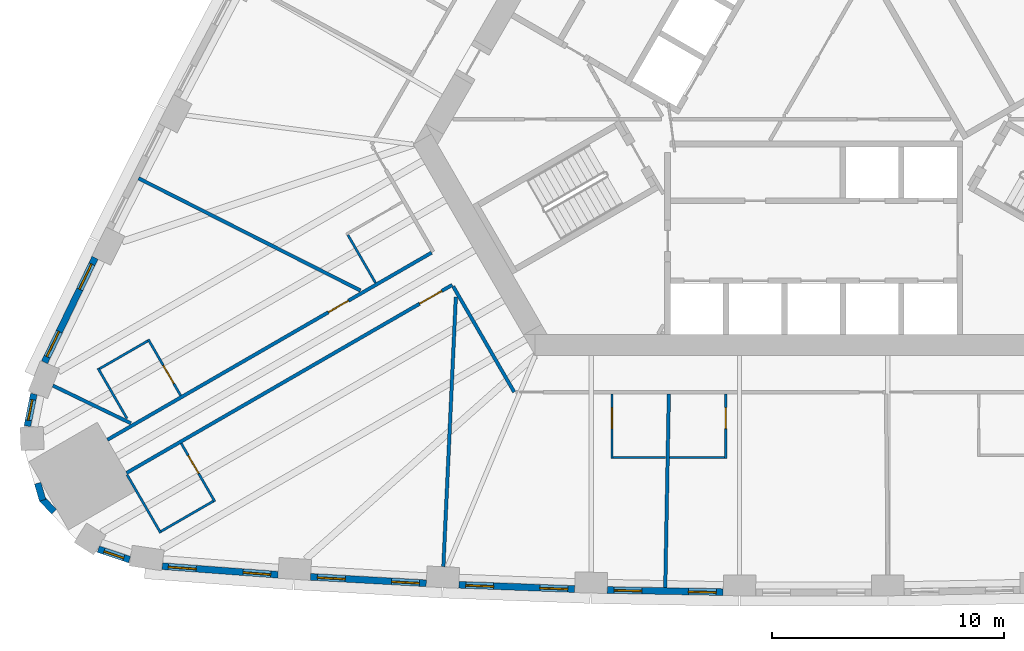
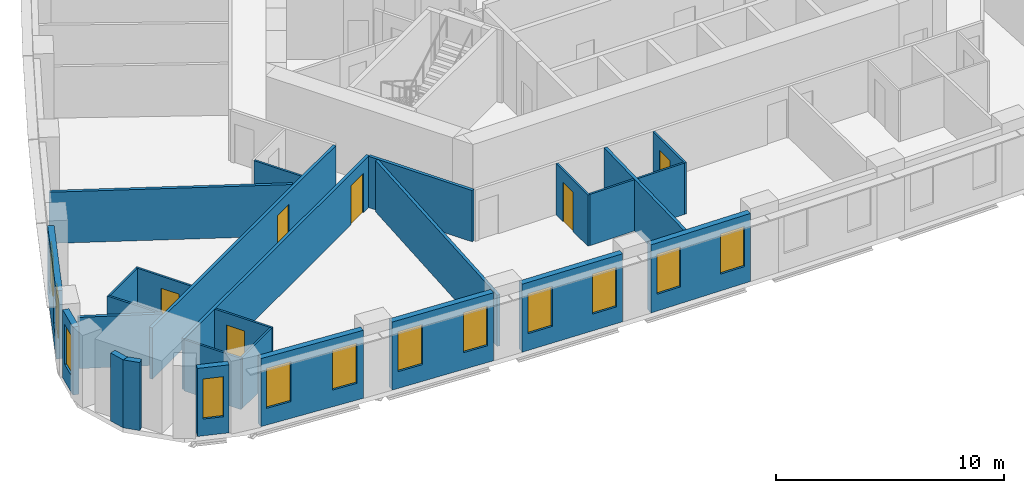
# One storey, part 3 of 13: 27 walls, 12 windows, 6 doors, 18 openings.
"""IFC4 building model written with IfcOpenShell, lengths in metres."""

import ifcopenshell
import ifcopenshell.guid

model = None  # the IFC model being written
_history = None  # IfcOwnerHistory: only IFC2X3 demands one
_inside = {}  # id of a spatial element -> (the spatial element, [elements in it])
_under = {}  # id of a project, library or spatial element -> (it, [spatial elements below it])
_declared = {}  # id of a project -> (the project, [libraries it declares])
_typed = {}  # id of a type object -> (the type object, [elements of that type])
_made_of = {}  # id of a material, layer set ... -> (it, [elements and type objects made of it])


def new_model(schema):
    """Start an empty IFC model of exactly this schema.

    Asked for "IFC4X3", IfcOpenShell would pick the latest addendum, in which some entities
    have other attributes; the version numbers below select the first issue.
    IFC2X3 requires an IfcOwnerHistory on every rooted entity: one is made here for all.
    """
    global model, _history
    if schema == "IFC4X3":
        model = ifcopenshell.file(schema_version=(4, 3, 0, 0))
    else:
        model = ifcopenshell.file(schema=schema)
    _inside.clear()
    _under.clear()
    _declared.clear()
    _typed.clear()
    _made_of.clear()
    _history = None
    if model.schema == "IFC2X3":
        org = make("IfcOrganization", Name="unknown")
        user = make(
            "IfcPersonAndOrganization",
            ThePerson=make("IfcPerson", FamilyName="unknown"),
            TheOrganization=org,
        )
        app = make(
            "IfcApplication",
            ApplicationDeveloper=org,
            Version="unknown",
            ApplicationFullName="unknown",
            ApplicationIdentifier="unknown",
        )
        _history = make(
            "IfcOwnerHistory",
            OwningUser=user,
            OwningApplication=app,
            ChangeAction="ADDED",
            CreationDate=0,
        )
    return model


def make(cls, **values):
    """One entity of the class cls with the attributes given. An attribute that is None is left unset."""
    return model.create_entity(
        cls, **{name: value for name, value in values.items() if value is not None}
    )


def rooted(cls, **values):
    """An entity with a GlobalId (a new one), such as an element, a storey or a relation."""
    return make(cls, GlobalId=ifcopenshell.guid.new(), OwnerHistory=_history, **values)


def si_unit(unit_type, name, prefix=None):
    """IfcSIUnit, for example si_unit("LENGTHUNIT", "METRE", prefix="MILLI")."""
    return make("IfcSIUnit", UnitType=unit_type, Prefix=prefix, Name=name)


def assignment(units):
    """IfcUnitAssignment: the units of a project."""
    return None if units is None else make("IfcUnitAssignment", Units=units)


def point(xyz):
    """IfcCartesianPoint."""
    return None if xyz is None else make("IfcCartesianPoint", Coordinates=xyz)


def direction(xyz):
    """IfcDirection."""
    return None if xyz is None else make("IfcDirection", DirectionRatios=xyz)


def frame(location, z_axis=None, x_axis=None):
    """IfcAxis2Placement3D, a coordinate frame: its origin and axes. An axis left out is left unset."""
    return make(
        "IfcAxis2Placement3D",
        Location=point(location),
        Axis=direction(z_axis),
        RefDirection=direction(x_axis),
    )


def frame_2d(location, x_axis=None):
    """IfcAxis2Placement2D, a coordinate frame in the plane: its origin and x axis."""
    return make(
        "IfcAxis2Placement2D", Location=point(location), RefDirection=direction(x_axis)
    )


def origin():
    """The frame at (0, 0, 0) with its axes left unset."""
    return frame((0.0, 0.0, 0.0))


def place(relative_to, where):
    """IfcLocalPlacement: puts the frame where relative to a parent placement (None: the world)."""
    return make(
        "IfcLocalPlacement", PlacementRelTo=relative_to, RelativePlacement=where
    )


def context(
    kind, dimensions, precision=None, world=None, true_north=None, identifier=None
):
    """IfcGeometricRepresentationContext, for example the 3D "Model" context."""
    return make(
        "IfcGeometricRepresentationContext",
        ContextIdentifier=identifier,
        ContextType=kind,
        CoordinateSpaceDimension=dimensions,
        Precision=precision,
        WorldCoordinateSystem=world,
        TrueNorth=true_north,
    )


def subcontext(parent, identifier, kind, view, scale=None):
    """IfcGeometricRepresentationSubContext, for example "Body" below "Model"."""
    return make(
        "IfcGeometricRepresentationSubContext",
        ContextIdentifier=identifier,
        ContextType=kind,
        ParentContext=parent,
        TargetScale=scale,
        TargetView=view,
    )


def project(units=None, contexts=None):
    """IfcProject with its units and contexts."""
    return rooted(
        "IfcProject",
        Name="project",
        RepresentationContexts=contexts,
        UnitsInContext=assignment(units),
    )


def spatial(cls, under=None, at=None, **own):
    """A site, building, storey or space (cls), placed at a placement, below another one or the project."""
    s = rooted(cls, ObjectPlacement=at, **own)
    if under is not None:
        _under.setdefault(under.id(), (under, []))[1].append(s)
    return s


def profile(cls, at=None, kind="AREA", **sizes):
    """A parametric profile (cls). Its sizes go by their IFC names, for example OverallWidth=200.0."""
    return make(cls, ProfileType=kind, Position=at, **sizes)


def rectangle(**sizes):
    """IfcRectangleProfileDef."""
    return profile("IfcRectangleProfileDef", **sizes)


def extrude(swept, where, along, depth):
    """IfcExtrudedAreaSolid: the profile swept, set in the frame where, extruded along a direction by depth."""
    return make(
        "IfcExtrudedAreaSolid",
        SweptArea=swept,
        Position=where,
        ExtrudedDirection=direction(along),
        Depth=depth,
    )


def shape(context_of_items, identifier, shape_type, items):
    """IfcShapeRepresentation: the items that make up one representation, for example the "Body"."""
    return make(
        "IfcShapeRepresentation",
        ContextOfItems=context_of_items,
        RepresentationIdentifier=identifier,
        RepresentationType=shape_type,
        Items=items,
    )


def material(Name=None, Category=None):
    """IfcMaterial."""
    return make("IfcMaterial", Name=Name, Category=Category)


def layer(
    of_material, thickness, ventilated=None, Name=None, Category=None, Priority=None
):
    """IfcMaterialLayer: one layer of a wall or slab, of a material (None: an air gap)."""
    return make(
        "IfcMaterialLayer",
        Material=of_material,
        LayerThickness=thickness,
        IsVentilated=ventilated,
        Name=Name,
        Category=Category,
        Priority=Priority,
    )


def layer_set(layers, Name=None):
    """IfcMaterialLayerSet."""
    return make("IfcMaterialLayerSet", MaterialLayers=layers, LayerSetName=Name)


def made_of(thing, what):
    """Note that an element or type object is made of a material, layer set ...; save() writes the relation."""
    if what is not None:
        _made_of.setdefault(what.id(), (what, []))[1].append(thing)
    return thing


def type_object(cls, material=None, **own):
    """A type object (cls), such as IfcWallType, which elements share."""
    return made_of(rooted(cls, **own), material)


def element(
    cls,
    number,
    at=None,
    inside=None,
    cuts=None,
    type_object=None,
    material=None,
    context=None,
    identifier="Body",
    shape_type=None,
    held_by="IfcProductDefinitionShape",
    body=None,
    shapes=None,
    **own,
):
    """One element of the class cls, such as IfcWall. Its Tag is "e" and its number.

    at: its placement. inside: the storey or other place that contains it. cuts: it is an
    opening in that element (IfcRelVoidsElement). A single representation is given by context,
    identifier, shape_type and body (its items); several are given by shapes. held_by: the class
    of the entity that holds the representations. save() writes the other relations.
    """
    e = rooted(cls, Tag="e%d" % number, ObjectPlacement=at, **own)
    if body is not None:
        shapes = [shape(context, identifier, shape_type, body)]
    if shapes is not None:
        e.Representation = make(held_by, Representations=shapes)
    if inside is not None:
        _inside.setdefault(inside.id(), (inside, []))[1].append(e)
    if cuts is not None:
        rooted(
            "IfcRelVoidsElement", RelatingBuildingElement=cuts, RelatedOpeningElement=e
        )
    if type_object is not None:
        _typed.setdefault(type_object.id(), (type_object, []))[1].append(e)
    return made_of(e, material)


def fill(opening, filler):
    """IfcRelFillsElement: the door or window that sits in an opening."""
    return rooted(
        "IfcRelFillsElement",
        RelatingOpeningElement=opening,
        RelatedBuildingElement=filler,
    )


def aggregate(whole, parts):
    """IfcRelAggregates: a whole, such as a stair, and the parts it consists of."""
    return rooted("IfcRelAggregates", RelatingObject=whole, RelatedObjects=parts)


def save(model, path):
    """Write the relations noted so far, then the file.

    IfcRelAggregates (storeys below a building ...), IfcRelContainedInSpatialStructure (elements
    in a storey), IfcRelDefinesByType, IfcRelAssociatesMaterial and IfcRelDeclares: one each for
    every whole, place, type object, material and project.
    """
    for whole, parts in _under.values():
        aggregate(whole, parts)
    for where, things in _inside.values():
        rooted(
            "IfcRelContainedInSpatialStructure",
            RelatedElements=things,
            RelatingStructure=where,
        )
    for kind, things in _typed.values():
        rooted("IfcRelDefinesByType", RelatedObjects=things, RelatingType=kind)
    for what, things in _made_of.values():
        rooted("IfcRelAssociatesMaterial", RelatedObjects=things, RelatingMaterial=what)
    for by, libraries in _declared.values():
        rooted("IfcRelDeclares", RelatingContext=by, RelatedDefinitions=libraries)
    model.write(path)


model = new_model("IFC4")

# Units and contexts
model_context = context("Model", 3, precision=1e-05, world=origin(), true_north=direction((0.0, 1.0)))
body_context = subcontext(model_context, "Body", "Model", "MODEL_VIEW")
ifc_project = project(units=[si_unit("LENGTHUNIT", "METRE"), si_unit("AREAUNIT", "SQUARE_METRE"), si_unit("VOLUMEUNIT", "CUBIC_METRE"), si_unit("PLANEANGLEUNIT", "RADIAN"), si_unit("MASSUNIT", "GRAM", prefix="KILO")], contexts=[model_context])

# Site, building, storey
site_placement = place(None, origin())
site = spatial("IfcSite", under=ifc_project, at=site_placement, CompositionType="ELEMENT")
building_placement = place(site_placement, origin())
building = spatial("IfcBuilding", under=site, at=building_placement, Name="Mestral Congress Tower", CompositionType="ELEMENT")
storey_placement = place(building_placement, frame((0.0, 0.0, 62.699951171875)))
storey = spatial("IfcBuildingStorey", under=building, at=storey_placement, Name="L14", CompositionType="ELEMENT", Elevation=62.699951171875)

# Wall, openings, windows
ifc_material_1 = material(Name="Precast concrete C40/50 with limestone facing", Category="masonry")
ifc_layer_1 = layer(ifc_material_1, 0.2900390625)
ifc_layer_set_1 = layer_set([ifc_layer_1], Name="Precast concrete C40/50 with limestone facing")
wall_type_1 = type_object("IfcWallType", Name="Facade stone wall 290", PredefinedType="SOLIDWALL", material=ifc_layer_set_1)
wall_1_placement = place(storey_placement, frame((-28.097900390625, -22.086181640625, 0.0), z_axis=(0.0, 0.0, 1.0), x_axis=(0.997266290399, -0.073891447643, 0.0)))
wall_1 = element("IfcWall", 1, at=wall_1_placement, inside=storey, type_object=wall_type_1, Name="Facade wall F0-00", PredefinedType="SOLIDWALL", context=body_context, shape_type="SweptSolid", body=[
    extrude(rectangle(XDim=5.005615234375, YDim=0.2900390625, at=frame_2d((2.5029296875, 0.0))), origin(), (0.0, 0.0, 1.0), 3.650146484375),
])
opening_1_placement = place(wall_1_placement, frame((0.26513671875, 0.0, 0.89990234375)))
opening_1 = element("IfcOpeningElement", 2, at=opening_1_placement, cuts=wall_1, Name="Opening W1", PredefinedType="OPENING", context=body_context, shape_type="SweptSolid", body=[
    extrude(rectangle(XDim=1.199951171875, YDim=2.14990234375, at=frame_2d((0.60009765625, 1.074951171875))), frame((0.0, 0.155029296875, 0.0), z_axis=(0.0, -1.0, 0.0), x_axis=(1.0, 0.0, 0.0)), (0.0, 0.0, 1.0), 0.31005859375),
])
opening_2_placement = place(wall_1_placement, frame((3.49560546875, 0.0, 0.89990234375)))
opening_2 = element("IfcOpeningElement", 3, at=opening_2_placement, cuts=wall_1, Name="Opening W1", PredefinedType="OPENING", context=body_context, shape_type="SweptSolid", body=[
    extrude(rectangle(XDim=1.199951171875, YDim=2.14990234375, at=frame_2d((0.60009765625, 1.074951171875))), frame((0.0, 0.155029296875, 0.0), z_axis=(0.0, -1.0, 0.0), x_axis=(1.0, 0.0, 0.0)), (0.0, 0.0, 1.0), 0.31005859375),
])
ifc_material_2 = material(Name="Clear low-emissivity double glazing", Category="glass")
window_type_1 = type_object("IfcWindowType", Name="Facade punched window 1200 x 2150 sill 900", PartitioningType="DOUBLE_PANEL_VERTICAL", PredefinedType="WINDOW", material=ifc_material_2)
window_1_placement = place(opening_1_placement, origin())
window_1 = element("IfcWindow", 4, at=window_1_placement, inside=storey, type_object=window_type_1, Name="Window F0-00a", OverallHeight=2.14990234375, OverallWidth=1.199951171875, PartitioningType="DOUBLE_PANEL_VERTICAL", PredefinedType="WINDOW", context=body_context, shape_type="SweptSolid", body=[
    extrude(rectangle(XDim=1.199951171875, YDim=2.14990234375, at=frame_2d((0.60009765625, 1.074951171875))), frame((0.0, 0.01513671875, 0.0), z_axis=(0.0, -1.0, 0.0), x_axis=(1.0, 0.0, 0.0)), (0.0, 0.0, 1.0), 0.06005859375),
])
fill(opening_1, window_1)
window_2_placement = place(opening_2_placement, origin())
window_2 = element("IfcWindow", 5, at=window_2_placement, inside=storey, type_object=window_type_1, Name="Window F0-00b", OverallHeight=2.14990234375, OverallWidth=1.199951171875, PartitioningType="DOUBLE_PANEL_VERTICAL", PredefinedType="WINDOW", context=body_context, shape_type="SweptSolid", body=[
    extrude(rectangle(XDim=1.199951171875, YDim=2.14990234375, at=frame_2d((0.60009765625, 1.074951171875))), frame((0.0, 0.01513671875, 0.0), z_axis=(0.0, -1.0, 0.0), x_axis=(1.0, 0.0, 0.0)), (0.0, 0.0, 1.0), 0.06005859375),
])
fill(opening_2, window_2)

wall_2_placement = place(storey_placement, frame((-21.701416015625, -22.547119140625, 0.0), z_axis=(0.0, 0.0, 1.0), x_axis=(0.998464708705, -0.055391564976, 0.0)))
wall_2 = element("IfcWall", 6, at=wall_2_placement, inside=storey, type_object=wall_type_1, Name="Facade wall F0-01", PredefinedType="SOLIDWALL", context=body_context, shape_type="SweptSolid", body=[
    extrude(rectangle(XDim=4.998046875, YDim=0.2900390625, at=frame_2d((2.4990234375, 0.0))), origin(), (0.0, 0.0, 1.0), 3.650146484375),
])
opening_3_placement = place(wall_2_placement, frame((0.297119140625, 0.0, 0.89990234375)))
opening_3 = element("IfcOpeningElement", 7, at=opening_3_placement, cuts=wall_2, Name="Opening W1", PredefinedType="OPENING", context=body_context, shape_type="SweptSolid", body=[
    extrude(rectangle(XDim=1.199951171875, YDim=2.14990234375, at=frame_2d((0.60009765625, 1.074951171875))), frame((0.0, 0.155029296875, 0.0), z_axis=(0.0, -1.0, 0.0), x_axis=(1.0, 0.0, 0.0)), (0.0, 0.0, 1.0), 0.31005859375),
])
opening_4_placement = place(wall_2_placement, frame((3.501220703125, 0.0, 0.89990234375)))
opening_4 = element("IfcOpeningElement", 8, at=opening_4_placement, cuts=wall_2, Name="Opening W1", PredefinedType="OPENING", context=body_context, shape_type="SweptSolid", body=[
    extrude(rectangle(XDim=1.199951171875, YDim=2.14990234375, at=frame_2d((0.60009765625, 1.074951171875))), frame((0.0, 0.155029296875, 0.0), z_axis=(0.0, -1.0, 0.0), x_axis=(1.0, 0.0, 0.0)), (0.0, 0.0, 1.0), 0.31005859375),
])
window_3_placement = place(opening_3_placement, origin())
window_3 = element("IfcWindow", 9, at=window_3_placement, inside=storey, type_object=window_type_1, Name="Window F0-01a", OverallHeight=2.14990234375, OverallWidth=1.199951171875, PartitioningType="DOUBLE_PANEL_VERTICAL", PredefinedType="WINDOW", context=body_context, shape_type="SweptSolid", body=[
    extrude(rectangle(XDim=1.199951171875, YDim=2.14990234375, at=frame_2d((0.60009765625, 1.074951171875))), frame((0.0, 0.01513671875, 0.0), z_axis=(0.0, -1.0, 0.0), x_axis=(1.0, 0.0, 0.0)), (0.0, 0.0, 1.0), 0.06005859375),
])
fill(opening_3, window_3)
window_4_placement = place(opening_4_placement, origin())
window_4 = element("IfcWindow", 10, at=window_4_placement, inside=storey, type_object=window_type_1, Name="Window F0-01b", OverallHeight=2.14990234375, OverallWidth=1.199951171875, PartitioningType="DOUBLE_PANEL_VERTICAL", PredefinedType="WINDOW", context=body_context, shape_type="SweptSolid", body=[
    extrude(rectangle(XDim=1.199951171875, YDim=2.14990234375, at=frame_2d((0.60009765625, 1.074951171875))), frame((0.0, 0.01513671875, 0.0), z_axis=(0.0, -1.0, 0.0), x_axis=(1.0, 0.0, 0.0)), (0.0, 0.0, 1.0), 0.06005859375),
])
fill(opening_4, window_4)

wall_3_placement = place(storey_placement, frame((-15.30517578125, -22.88916015625, 0.0), z_axis=(0.0, 0.0, 1.0), x_axis=(0.999317974969, -0.036926750529, 0.0)))
wall_3 = element("IfcWall", 11, at=wall_3_placement, inside=storey, type_object=wall_type_1, Name="Facade wall F0-02", PredefinedType="SOLIDWALL", context=body_context, shape_type="SweptSolid", body=[
    extrude(rectangle(XDim=4.998291015625, YDim=0.2900390625, at=frame_2d((2.4990234375, 0.0))), origin(), (0.0, 0.0, 1.0), 3.650146484375),
])
opening_5_placement = place(wall_3_placement, frame((0.297119140625, 0.0, 0.89990234375)))
opening_5 = element("IfcOpeningElement", 12, at=opening_5_placement, cuts=wall_3, Name="Opening W1", PredefinedType="OPENING", context=body_context, shape_type="SweptSolid", body=[
    extrude(rectangle(XDim=1.199951171875, YDim=2.14990234375, at=frame_2d((0.60009765625, 1.074951171875))), frame((0.0, 0.155029296875, 0.0), z_axis=(0.0, -1.0, 0.0), x_axis=(1.0, 0.0, 0.0)), (0.0, 0.0, 1.0), 0.31005859375),
])
opening_6_placement = place(wall_3_placement, frame((3.501220703125, 0.0, 0.89990234375)))
opening_6 = element("IfcOpeningElement", 13, at=opening_6_placement, cuts=wall_3, Name="Opening W1", PredefinedType="OPENING", context=body_context, shape_type="SweptSolid", body=[
    extrude(rectangle(XDim=1.199951171875, YDim=2.14990234375, at=frame_2d((0.60009765625, 1.074951171875))), frame((0.0, 0.155029296875, 0.0), z_axis=(0.0, -1.0, 0.0), x_axis=(1.0, 0.0, 0.0)), (0.0, 0.0, 1.0), 0.31005859375),
])
window_5_placement = place(opening_5_placement, origin())
window_5 = element("IfcWindow", 14, at=window_5_placement, inside=storey, type_object=window_type_1, Name="Window F0-02a", OverallHeight=2.14990234375, OverallWidth=1.199951171875, PartitioningType="DOUBLE_PANEL_VERTICAL", PredefinedType="WINDOW", context=body_context, shape_type="SweptSolid", body=[
    extrude(rectangle(XDim=1.199951171875, YDim=2.14990234375, at=frame_2d((0.60009765625, 1.074951171875))), frame((0.0, 0.01513671875, 0.0), z_axis=(0.0, -1.0, 0.0), x_axis=(1.0, 0.0, 0.0)), (0.0, 0.0, 1.0), 0.06005859375),
])
fill(opening_5, window_5)
window_6_placement = place(opening_6_placement, origin())
window_6 = element("IfcWindow", 15, at=window_6_placement, inside=storey, type_object=window_type_1, Name="Window F0-02b", OverallHeight=2.14990234375, OverallWidth=1.199951171875, PartitioningType="DOUBLE_PANEL_VERTICAL", PredefinedType="WINDOW", context=body_context, shape_type="SweptSolid", body=[
    extrude(rectangle(XDim=1.199951171875, YDim=2.14990234375, at=frame_2d((0.60009765625, 1.074951171875))), frame((0.0, 0.01513671875, 0.0), z_axis=(0.0, -1.0, 0.0), x_axis=(1.0, 0.0, 0.0)), (0.0, 0.0, 1.0), 0.06005859375),
])
fill(opening_6, window_6)

wall_4_placement = place(storey_placement, frame((-8.903564453125, -23.11279296875, 0.0), z_axis=(0.0, 0.0, 1.0), x_axis=(0.999829529479, -0.018463801951, 0.0)))
wall_4 = element("IfcWall", 16, at=wall_4_placement, inside=storey, type_object=wall_type_1, Name="Facade wall F0-03", PredefinedType="SOLIDWALL", context=body_context, shape_type="SweptSolid", body=[
    extrude(rectangle(XDim=4.998046875, YDim=0.2900390625, at=frame_2d((2.4990234375, 0.0))), origin(), (0.0, 0.0, 1.0), 3.650146484375),
])
opening_7_placement = place(wall_4_placement, frame((0.297119140625, 0.0, 0.89990234375)))
opening_7 = element("IfcOpeningElement", 17, at=opening_7_placement, cuts=wall_4, Name="Opening W1", PredefinedType="OPENING", context=body_context, shape_type="SweptSolid", body=[
    extrude(rectangle(XDim=1.199951171875, YDim=2.14990234375, at=frame_2d((0.60009765625, 1.074951171875))), frame((0.0, 0.155029296875, 0.0), z_axis=(0.0, -1.0, 0.0), x_axis=(1.0, 0.0, 0.0)), (0.0, 0.0, 1.0), 0.31005859375),
])
opening_8_placement = place(wall_4_placement, frame((3.501220703125, 0.0, 0.89990234375)))
opening_8 = element("IfcOpeningElement", 18, at=opening_8_placement, cuts=wall_4, Name="Opening W1", PredefinedType="OPENING", context=body_context, shape_type="SweptSolid", body=[
    extrude(rectangle(XDim=1.199951171875, YDim=2.14990234375, at=frame_2d((0.60009765625, 1.074951171875))), frame((0.0, 0.155029296875, 0.0), z_axis=(0.0, -1.0, 0.0), x_axis=(1.0, 0.0, 0.0)), (0.0, 0.0, 1.0), 0.31005859375),
])
window_7_placement = place(opening_7_placement, origin())
window_7 = element("IfcWindow", 19, at=window_7_placement, inside=storey, type_object=window_type_1, Name="Window F0-03a", OverallHeight=2.14990234375, OverallWidth=1.199951171875, PartitioningType="DOUBLE_PANEL_VERTICAL", PredefinedType="WINDOW", context=body_context, shape_type="SweptSolid", body=[
    extrude(rectangle(XDim=1.199951171875, YDim=2.14990234375, at=frame_2d((0.60009765625, 1.074951171875))), frame((0.0, 0.01513671875, 0.0), z_axis=(0.0, -1.0, 0.0), x_axis=(1.0, 0.0, 0.0)), (0.0, 0.0, 1.0), 0.06005859375),
])
fill(opening_7, window_7)
window_8_placement = place(opening_8_placement, origin())
window_8 = element("IfcWindow", 20, at=window_8_placement, inside=storey, type_object=window_type_1, Name="Window F0-03b", OverallHeight=2.14990234375, OverallWidth=1.199951171875, PartitioningType="DOUBLE_PANEL_VERTICAL", PredefinedType="WINDOW", context=body_context, shape_type="SweptSolid", body=[
    extrude(rectangle(XDim=1.199951171875, YDim=2.14990234375, at=frame_2d((0.60009765625, 1.074951171875))), frame((0.0, 0.01513671875, 0.0), z_axis=(0.0, -1.0, 0.0), x_axis=(1.0, 0.0, 0.0)), (0.0, 0.0, 1.0), 0.06005859375),
])
fill(opening_8, window_8)

wall_5_placement = place(storey_placement, frame((-31.000244140625, -8.7822265625, 0.0), z_axis=(0.0, 0.0, 1.0), x_axis=(-0.434664499056, -0.900592456808, 0.0)))
wall_5 = element("IfcWall", 21, at=wall_5_placement, inside=storey, type_object=wall_type_1, Name="Facade wall F2-08", PredefinedType="SOLIDWALL", context=body_context, shape_type="SweptSolid", body=[
    extrude(rectangle(XDim=5.005615234375, YDim=0.2900390625, at=frame_2d((2.5029296875, 0.0))), origin(), (0.0, 0.0, 1.0), 3.650146484375),
])
opening_9_placement = place(wall_5_placement, frame((0.310302734375, 0.0, 0.89990234375)))
opening_9 = element("IfcOpeningElement", 22, at=opening_9_placement, cuts=wall_5, Name="Opening W1", PredefinedType="OPENING", context=body_context, shape_type="SweptSolid", body=[
    extrude(rectangle(XDim=1.199951171875, YDim=2.14990234375, at=frame_2d((0.60009765625, 1.074951171875))), frame((0.0, 0.155029296875, 0.0), z_axis=(0.0, -1.0, 0.0), x_axis=(1.0, 0.0, 0.0)), (0.0, 0.0, 1.0), 0.31005859375),
])
opening_10_placement = place(wall_5_placement, frame((3.54052734375, 0.0, 0.89990234375)))
opening_10 = element("IfcOpeningElement", 23, at=opening_10_placement, cuts=wall_5, Name="Opening W1", PredefinedType="OPENING", context=body_context, shape_type="SweptSolid", body=[
    extrude(rectangle(XDim=1.199951171875, YDim=2.14990234375, at=frame_2d((0.60009765625, 1.074951171875))), frame((0.0, 0.155029296875, 0.0), z_axis=(0.0, -1.0, 0.0), x_axis=(1.0, 0.0, 0.0)), (0.0, 0.0, 1.0), 0.31005859375),
])
window_9_placement = place(opening_9_placement, origin())
window_9 = element("IfcWindow", 24, at=window_9_placement, inside=storey, type_object=window_type_1, Name="Window F2-08a", OverallHeight=2.14990234375, OverallWidth=1.199951171875, PartitioningType="DOUBLE_PANEL_VERTICAL", PredefinedType="WINDOW", context=body_context, shape_type="SweptSolid", body=[
    extrude(rectangle(XDim=1.199951171875, YDim=2.14990234375, at=frame_2d((0.60009765625, 1.074951171875))), frame((0.0, 0.01513671875, 0.0), z_axis=(0.0, -1.0, 0.0), x_axis=(1.0, 0.0, 0.0)), (0.0, 0.0, 1.0), 0.06005859375),
])
fill(opening_9, window_9)
window_10_placement = place(opening_10_placement, origin())
window_10 = element("IfcWindow", 25, at=window_10_placement, inside=storey, type_object=window_type_1, Name="Window F2-08b", OverallHeight=2.14990234375, OverallWidth=1.199951171875, PartitioningType="DOUBLE_PANEL_VERTICAL", PredefinedType="WINDOW", context=body_context, shape_type="SweptSolid", body=[
    extrude(rectangle(XDim=1.199951171875, YDim=2.14990234375, at=frame_2d((0.60009765625, 1.074951171875))), frame((0.0, 0.01513671875, 0.0), z_axis=(0.0, -1.0, 0.0), x_axis=(1.0, 0.0, 0.0)), (0.0, 0.0, 1.0), 0.06005859375),
])
fill(opening_10, window_10)

# Wall, opening, window
wall_6_placement = place(storey_placement, frame((-33.63720703125, -14.656982421875, 0.0), z_axis=(0.0, 0.0, 1.0), x_axis=(-0.198106888228, -0.980180422594, 0.0)))
wall_6 = element("IfcWall", 26, at=wall_6_placement, inside=storey, type_object=wall_type_1, Name="Facade wall K2-0", PredefinedType="SOLIDWALL", context=body_context, shape_type="SweptSolid", body=[
    extrude(rectangle(XDim=1.414794921875, YDim=0.2900390625, at=frame_2d((0.70751953125, 0.0))), origin(), (0.0, 0.0, 1.0), 3.650146484375),
])
opening_11_placement = place(wall_6_placement, frame((0.25732421875, 0.0, 0.89990234375)))
opening_11 = element("IfcOpeningElement", 27, at=opening_11_placement, cuts=wall_6, Name="Opening W3", PredefinedType="OPENING", context=body_context, shape_type="SweptSolid", body=[
    extrude(rectangle(XDim=0.89990234375, YDim=2.14990234375, at=frame_2d((0.449951171875, 1.074951171875))), frame((0.0, 0.155029296875, 0.0), z_axis=(0.0, -1.0, 0.0), x_axis=(1.0, 0.0, 0.0)), (0.0, 0.0, 1.0), 0.31005859375),
])
window_type_2 = type_object("IfcWindowType", Name="Facade punched window 900 x 2150 sill 900", PartitioningType="SINGLE_PANEL", PredefinedType="WINDOW", material=ifc_material_2)
window_11_placement = place(opening_11_placement, origin())
window_11 = element("IfcWindow", 28, at=window_11_placement, inside=storey, type_object=window_type_2, Name="Window K2-0", OverallHeight=2.14990234375, OverallWidth=0.89990234375, PartitioningType="SINGLE_PANEL", PredefinedType="WINDOW", context=body_context, shape_type="SweptSolid", body=[
    extrude(rectangle(XDim=0.89990234375, YDim=2.14990234375, at=frame_2d((0.449951171875, 1.074951171875))), frame((0.0, 0.01513671875, 0.0), z_axis=(0.0, -1.0, 0.0), x_axis=(1.0, 0.0, 0.0)), (0.0, 0.0, 1.0), 0.06005859375),
])
fill(opening_11, window_11)

# Walls
for number, where, z_axis, x_axis, name in (
    (29, (-33.4697265625, -18.507080078125, 0.0), (0.0, 0.0, 1.0), (0.278981320915, -0.960296528464, 0.0), "Facade wall K2-1"),
    (30, (-33.291259765625, -19.180908203125, 0.0), (0.0, 0.0, 1.0), (0.692252359589, -0.721655506903, 0.0), "Facade wall K2-2"),
):
    element("IfcWall", number, at=place(storey_placement, frame(where, z_axis=z_axis, x_axis=x_axis)), inside=storey, type_object=wall_type_1, Name=name, PredefinedType="SOLIDWALL", context=body_context, shape_type="SweptSolid", body=[
        extrude(rectangle(XDim=0.763916015625, YDim=0.2900390625, at=frame_2d((0.3818359375, 0.0))), origin(), (0.0, 0.0, 1.0), 3.650146484375),
    ])

# Wall, opening, window
wall_7_placement = place(storey_placement, frame((-30.852783203125, -21.3515625, 0.0), z_axis=(0.0, 0.0, 1.0), x_axis=(0.947903891592, -0.318556450734, 0.0)))
wall_7 = element("IfcWall", 31, at=wall_7_placement, inside=storey, type_object=wall_type_1, Name="Facade wall K2-3", PredefinedType="SOLIDWALL", context=body_context, shape_type="SweptSolid", body=[
    extrude(rectangle(XDim=1.414794921875, YDim=0.2900390625, at=frame_2d((0.70751953125, 0.0))), origin(), (0.0, 0.0, 1.0), 3.650146484375),
])
opening_12_placement = place(wall_7_placement, frame((0.25732421875, 0.0, 0.89990234375)))
opening_12 = element("IfcOpeningElement", 32, at=opening_12_placement, cuts=wall_7, Name="Opening W3", PredefinedType="OPENING", context=body_context, shape_type="SweptSolid", body=[
    extrude(rectangle(XDim=0.89990234375, YDim=2.14990234375, at=frame_2d((0.449951171875, 1.074951171875))), frame((0.0, 0.155029296875, 0.0), z_axis=(0.0, -1.0, 0.0), x_axis=(1.0, 0.0, 0.0)), (0.0, 0.0, 1.0), 0.31005859375),
])
window_12_placement = place(opening_12_placement, origin())
window_12 = element("IfcWindow", 33, at=window_12_placement, inside=storey, type_object=window_type_2, Name="Window K2-3", OverallHeight=2.14990234375, OverallWidth=0.89990234375, PartitioningType="SINGLE_PANEL", PredefinedType="WINDOW", context=body_context, shape_type="SweptSolid", body=[
    extrude(rectangle(XDim=0.89990234375, YDim=2.14990234375, at=frame_2d((0.449951171875, 1.074951171875))), frame((0.0, 0.01513671875, 0.0), z_axis=(0.0, -1.0, 0.0), x_axis=(1.0, 0.0, 0.0)), (0.0, 0.0, 1.0), 0.06005859375),
])
fill(opening_12, window_12)

# Wall, opening, door
ifc_material_3 = material(Name="Gypsum board partition on metal studs with mineral wool", Category="composite")
ifc_layer_2 = layer(ifc_material_3, 0.10009765625)
ifc_layer_set_2 = layer_set([ifc_layer_2], Name="Gypsum board partition on metal studs with mineral wool")
wall_type_2 = type_object("IfcWallType", Name="Hotel partition wall 100", PredefinedType="PARTITIONING", material=ifc_layer_set_2)
wall_8_placement = place(storey_placement, frame((-25.8291015625, -19.30029296875, 0.0), z_axis=(0.0, 0.0, 1.0), x_axis=(-0.50005036918, 0.865996321171, 0.0)))
wall_8 = element("IfcWall", 34, at=wall_8_placement, inside=storey, type_object=wall_type_2, Name="L14-h-pod01a", PredefinedType="PARTITIONING", context=body_context, shape_type="SweptSolid", body=[
    extrude(rectangle(XDim=2.900146484375, YDim=0.10009765625, at=frame_2d((1.4501953125, 0.0))), origin(), (0.0, 0.0, 1.0), 2.75),
])
opening_13_placement = place(wall_8_placement, frame((1.39990234375, 0.0, 0.0)))
opening_13 = element("IfcOpeningElement", 35, at=opening_13_placement, cuts=wall_8, Name="Opening H04-002", PredefinedType="OPENING", context=body_context, shape_type="SweptSolid", body=[
    extrude(rectangle(XDim=0.89990234375, YDim=2.10009765625, at=frame_2d((0.449951171875, 1.050048828125))), frame((0.0, 0.06005859375, 0.0), z_axis=(0.0, -1.0, 0.0), x_axis=(1.0, 0.0, 0.0)), (0.0, 0.0, 1.0), 0.1201171875),
])
ifc_material_4 = material(Name="Timber veneer door leaf in timber frame", Category="wood")
door_type_1 = type_object("IfcDoorType", Name="Bathroom door 900", OperationType="SINGLE_SWING_LEFT", PredefinedType="DOOR", material=ifc_material_4)
door_1_placement = place(opening_13_placement, origin())
door_1 = element("IfcDoor", 36, at=door_1_placement, inside=storey, type_object=door_type_1, Name="L14-h-d002", OperationType="SINGLE_SWING_LEFT", OverallHeight=2.10009765625, OverallWidth=0.89990234375, PredefinedType="DOOR", context=body_context, shape_type="SweptSolid", body=[
    extrude(rectangle(XDim=0.89990234375, YDim=2.10009765625, at=frame_2d((0.449951171875, 1.050048828125))), frame((0.0, 0.02490234375, 0.0), z_axis=(0.0, -1.0, 0.0), x_axis=(1.0, 0.0, 0.0)), (0.0, 0.0, 1.0), 0.050048828125),
])
fill(opening_13, door_1)

# Walls
wall_9_placement = place(storey_placement, frame((-25.8974609375, -19.281982421875, 0.0), z_axis=(0.0, 0.0, 1.0), x_axis=(-0.866021400173, -0.500006934395, 0.0)))
element("IfcWall", 37, at=wall_9_placement, inside=storey, type_object=wall_type_2, Name="L14-h-pod01b", PredefinedType="PARTITIONING", context=body_context, shape_type="SweptSolid", body=[
    extrude(rectangle(XDim=2.60009765625, YDim=0.10009765625, at=frame_2d((1.300048828125, 0.0))), origin(), (0.0, 0.0, 1.0), 2.75),
])
wall_10_placement = place(storey_placement, frame((-29.617431640625, -18.138916015625, 0.0), z_axis=(0.0, 0.0, 1.0), x_axis=(0.499987231761, -0.866032775405, 0.0)))
element("IfcWall", 38, at=wall_10_placement, inside=storey, type_object=wall_type_2, Name="L14-h-pod01c", PredefinedType="PARTITIONING", context=body_context, shape_type="SweptSolid", body=[
    extrude(rectangle(XDim=2.89990234375, YDim=0.10009765625, at=frame_2d((1.449951171875, 0.0))), origin(), (0.0, 0.0, 1.0), 2.75),
])

# Wall, opening, door
wall_11_placement = place(storey_placement, frame((-8.70166015625, -14.64990234375, 0.0), z_axis=(0.0, 0.0, 1.0), x_axis=(0.0, -1.0, 0.0)))
wall_11 = element("IfcWall", 39, at=wall_11_placement, inside=storey, type_object=wall_type_2, Name="L14-h-pod02a", PredefinedType="PARTITIONING", context=body_context, shape_type="SweptSolid", body=[
    extrude(rectangle(XDim=2.800048828125, YDim=0.10009765625, at=frame_2d((1.39990234375, 0.0))), origin(), (0.0, 0.0, 1.0), 2.75),
])
opening_14_placement = place(wall_11_placement, frame((0.60009765625, 0.0, 0.0)))
opening_14 = element("IfcOpeningElement", 40, at=opening_14_placement, cuts=wall_11, Name="Opening H04-004", PredefinedType="OPENING", context=body_context, shape_type="SweptSolid", body=[
    extrude(rectangle(XDim=0.89990234375, YDim=2.10009765625, at=frame_2d((0.449951171875, 1.050048828125))), frame((0.0, 0.06005859375, 0.0), z_axis=(0.0, -1.0, 0.0), x_axis=(1.0, 0.0, 0.0)), (0.0, 0.0, 1.0), 0.1201171875),
])
door_2_placement = place(opening_14_placement, origin())
door_2 = element("IfcDoor", 41, at=door_2_placement, inside=storey, type_object=door_type_1, Name="L14-h-d004", OperationType="SINGLE_SWING_LEFT", OverallHeight=2.10009765625, OverallWidth=0.89990234375, PredefinedType="DOOR", context=body_context, shape_type="SweptSolid", body=[
    extrude(rectangle(XDim=0.89990234375, YDim=2.10009765625, at=frame_2d((0.449951171875, 1.050048828125))), frame((0.0, 0.02490234375, 0.0), z_axis=(0.0, -1.0, 0.0), x_axis=(1.0, 0.0, 0.0)), (0.0, 0.0, 1.0), 0.050048828125),
])
fill(opening_14, door_2)

# Wall
wall_12_placement = place(storey_placement, frame((-8.651611328125, -17.39990234375, 0.0), z_axis=(0.0, 0.0, 1.0), x_axis=(1.0, 0.0, 0.0)))
element("IfcWall", 42, at=wall_12_placement, inside=storey, type_object=wall_type_2, Name="L14-h-pod02b", PredefinedType="PARTITIONING", context=body_context, shape_type="SweptSolid", body=[
    extrude(rectangle(XDim=2.27001953125, YDim=0.10009765625, at=frame_2d((1.135009765625, 0.0))), origin(), (0.0, 0.0, 1.0), 2.75),
])

# Wall, opening, door
wall_13_placement = place(storey_placement, frame((-3.794189453125, -17.449951171875, 0.0), z_axis=(0.0, 0.0, 1.0), x_axis=(0.0, 1.0, 0.0)))
wall_13 = element("IfcWall", 43, at=wall_13_placement, inside=storey, type_object=wall_type_2, Name="L14-h-pod03a", PredefinedType="PARTITIONING", context=body_context, shape_type="SweptSolid", body=[
    extrude(rectangle(XDim=2.800048828125, YDim=0.10009765625, at=frame_2d((1.39990234375, 0.0))), origin(), (0.0, 0.0, 1.0), 2.75),
])
opening_15_placement = place(wall_13_placement, frame((1.300048828125, 0.0, 0.0)))
opening_15 = element("IfcOpeningElement", 44, at=opening_15_placement, cuts=wall_13, Name="Opening H04-006", PredefinedType="OPENING", context=body_context, shape_type="SweptSolid", body=[
    extrude(rectangle(XDim=0.89990234375, YDim=2.10009765625, at=frame_2d((0.449951171875, 1.050048828125))), frame((0.0, 0.06005859375, 0.0), z_axis=(0.0, -1.0, 0.0), x_axis=(1.0, 0.0, 0.0)), (0.0, 0.0, 1.0), 0.1201171875),
])
door_3_placement = place(opening_15_placement, origin())
door_3 = element("IfcDoor", 45, at=door_3_placement, inside=storey, type_object=door_type_1, Name="L14-h-d006", OperationType="SINGLE_SWING_RIGHT", OverallHeight=2.10009765625, OverallWidth=0.89990234375, PredefinedType="DOOR", context=body_context, shape_type="SweptSolid", body=[
    extrude(rectangle(XDim=0.89990234375, YDim=2.10009765625, at=frame_2d((0.449951171875, 1.050048828125))), frame((0.0, 0.02490234375, 0.0), z_axis=(0.0, -1.0, 0.0), x_axis=(1.0, 0.0, 0.0)), (0.0, 0.0, 1.0), 0.050048828125),
])
fill(opening_15, door_3)

# Walls
wall_14_placement = place(storey_placement, frame((-3.84423828125, -17.39990234375, 0.0), z_axis=(0.0, 0.0, 1.0), x_axis=(-1.0, 0.0, 0.0)))
element("IfcWall", 46, at=wall_14_placement, inside=storey, type_object=wall_type_2, Name="L14-h-pod03b", PredefinedType="PARTITIONING", context=body_context, shape_type="SweptSolid", body=[
    extrude(rectangle(XDim=2.3701171875, YDim=0.10009765625, at=frame_2d((1.18505859375, 0.0))), origin(), (0.0, 0.0, 1.0), 2.75),
])
wall_15_placement = place(storey_placement, frame((-20.091796875, -7.7998046875, 0.0), z_axis=(0.0, 0.0, 1.0), x_axis=(0.499940577336, -0.866059708757, 0.0)))
element("IfcWall", 47, at=wall_15_placement, inside=storey, type_object=wall_type_2, Name="L14-h-pod22b", PredefinedType="PARTITIONING", context=body_context, shape_type="SweptSolid", body=[
    extrude(rectangle(XDim=2.389892578125, YDim=0.10009765625, at=frame_2d((1.19482421875, 0.0))), origin(), (0.0, 0.0, 1.0), 2.75),
])

# Wall, opening, door
wall_16_placement = place(storey_placement, frame((-27.30419921875, -14.724853515625, 0.0), z_axis=(0.0, 0.0, 1.0), x_axis=(-0.49998411664, 0.866034573852, 0.0)))
wall_16 = element("IfcWall", 48, at=wall_16_placement, inside=storey, type_object=wall_type_2, Name="L14-h-pod23a", PredefinedType="PARTITIONING", context=body_context, shape_type="SweptSolid", body=[
    extrude(rectangle(XDim=2.7998046875, YDim=0.10009765625, at=frame_2d((1.39990234375, 0.0))), origin(), (0.0, 0.0, 1.0), 2.75),
])
opening_16_placement = place(wall_16_placement, frame((0.60009765625, 0.0, 0.0)))
opening_16 = element("IfcOpeningElement", 49, at=opening_16_placement, cuts=wall_16, Name="Opening H04-044", PredefinedType="OPENING", context=body_context, shape_type="SweptSolid", body=[
    extrude(rectangle(XDim=0.89990234375, YDim=2.10009765625, at=frame_2d((0.449951171875, 1.050048828125))), frame((0.0, 0.06005859375, 0.0), z_axis=(0.0, -1.0, 0.0), x_axis=(1.0, 0.0, 0.0)), (0.0, 0.0, 1.0), 0.1201171875),
])
door_4_placement = place(opening_16_placement, origin())
door_4 = element("IfcDoor", 50, at=door_4_placement, inside=storey, type_object=door_type_1, Name="L14-h-d044", OperationType="SINGLE_SWING_LEFT", OverallHeight=2.10009765625, OverallWidth=0.89990234375, PredefinedType="DOOR", context=body_context, shape_type="SweptSolid", body=[
    extrude(rectangle(XDim=0.89990234375, YDim=2.10009765625, at=frame_2d((0.449951171875, 1.050048828125))), frame((0.0, 0.02490234375, 0.0), z_axis=(0.0, -1.0, 0.0), x_axis=(1.0, 0.0, 0.0)), (0.0, 0.0, 1.0), 0.050048828125),
])
fill(opening_16, door_4)

# Walls
wall_17_placement = place(storey_placement, frame((-28.722412109375, -12.368408203125, 0.0), z_axis=(0.0, 0.0, 1.0), x_axis=(-0.866050077142, -0.499957262057, 0.0)))
element("IfcWall", 51, at=wall_17_placement, inside=storey, type_object=wall_type_2, Name="L14-h-pod23b", PredefinedType="PARTITIONING", context=body_context, shape_type="SweptSolid", body=[
    extrude(rectangle(XDim=2.400146484375, YDim=0.10009765625, at=frame_2d((1.2001953125, 0.0))), origin(), (0.0, 0.0, 1.0), 2.75),
])
wall_18_placement = place(storey_placement, frame((-29.619384765625, -15.715087890625, 0.0), z_axis=(0.0, 0.0, 1.0), x_axis=(-0.500004234368, 0.866022959057, 0.0)))
element("IfcWall", 52, at=wall_18_placement, inside=storey, type_object=wall_type_2, Name="L14-h-pod23c", PredefinedType="PARTITIONING", context=body_context, shape_type="SweptSolid", body=[
    extrude(rectangle(XDim=2.5, YDim=0.10009765625, at=frame_2d((1.25, 0.0))), origin(), (0.0, 0.0, 1.0), 2.75),
])

# Wall, opening, door
ifc_layer_3 = layer(ifc_material_3, 0.14990234375)
ifc_layer_set_3 = layer_set([ifc_layer_3], Name="Gypsum board partition on metal studs with mineral wool")
wall_type_3 = type_object("IfcWallType", Name="Hotel partition wall 150", PredefinedType="PARTITIONING", material=ifc_layer_set_3)
wall_19_placement = place(storey_placement, frame((-30.462646484375, -16.635009765625, 0.0), z_axis=(0.0, 0.0, 1.0), x_axis=(0.866022394896, 0.500005211512, 0.0)))
wall_19 = element("IfcWall", 53, at=wall_19_placement, inside=storey, type_object=wall_type_3, Name="L14-h-cw10", PredefinedType="PARTITIONING", context=body_context, shape_type="SweptSolid", body=[
    extrude(rectangle(XDim=16.143798828125, YDim=0.14990234375, at=frame_2d((8.07177734375, 0.0))), origin(), (0.0, 0.0, 1.0), 2.75),
])
opening_17_placement = place(wall_19_placement, frame((11.004150390625, 0.0, 0.0)))
opening_17 = element("IfcOpeningElement", 54, at=opening_17_placement, cuts=wall_19, Name="Opening H04-043", PredefinedType="OPENING", context=body_context, shape_type="SweptSolid", body=[
    extrude(rectangle(XDim=1.0, YDim=2.10009765625, at=frame_2d((0.5, 1.050048828125))), frame((0.0, 0.0849609375, 0.0), z_axis=(0.0, -1.0, 0.0), x_axis=(1.0, 0.0, 0.0)), (0.0, 0.0, 1.0), 0.169921875),
])
ifc_material_5 = material(Name="Timber veneer door leaf in metal frame", Category="wood")
door_type_2 = type_object("IfcDoorType", Name="Guest room entrance door 1000", OperationType="SINGLE_SWING_LEFT", PredefinedType="DOOR", material=ifc_material_5)
door_5_placement = place(opening_17_placement, origin())
door_5 = element("IfcDoor", 55, at=door_5_placement, inside=storey, type_object=door_type_2, Name="L14-h-d043", OperationType="SINGLE_SWING_RIGHT", OverallHeight=2.10009765625, OverallWidth=1.0, PredefinedType="DOOR", context=body_context, shape_type="SweptSolid", body=[
    extrude(rectangle(XDim=1.0, YDim=2.10009765625, at=frame_2d((0.5, 1.050048828125))), frame((0.0, 0.02490234375, 0.0), z_axis=(0.0, -1.0, 0.0), x_axis=(1.0, 0.0, 0.0)), (0.0, 0.0, 1.0), 0.050048828125),
])
fill(opening_17, door_5)

wall_20_placement = place(storey_placement, frame((-15.58740234375, -9.951904296875, 0.0), z_axis=(0.0, 0.0, 1.0), x_axis=(-0.866022197818, -0.500005552856, 0.0)))
wall_20 = element("IfcWall", 56, at=wall_20_placement, inside=storey, type_object=wall_type_3, Name="L14-h-cw11", PredefinedType="PARTITIONING", context=body_context, shape_type="SweptSolid", body=[
    extrude(rectangle(XDim=16.223876953125, YDim=0.14990234375, at=frame_2d((8.11181640625, 0.0))), origin(), (0.0, 0.0, 1.0), 2.75),
])
opening_18_placement = place(wall_20_placement, frame((0.527099609375, 0.0, 0.0)))
opening_18 = element("IfcOpeningElement", 57, at=opening_18_placement, cuts=wall_20, Name="Opening H04-001", PredefinedType="OPENING", context=body_context, shape_type="SweptSolid", body=[
    extrude(rectangle(XDim=1.10009765625, YDim=2.10009765625, at=frame_2d((0.550048828125, 1.050048828125))), frame((0.0, 0.0849609375, 0.0), z_axis=(0.0, -1.0, 0.0), x_axis=(1.0, 0.0, 0.0)), (0.0, 0.0, 1.0), 0.169921875),
])
door_type_3 = type_object("IfcDoorType", Name="Accessible room entrance door 1100", OperationType="SINGLE_SWING_LEFT", PredefinedType="DOOR", material=ifc_material_5)
door_6_placement = place(opening_18_placement, origin())
door_6 = element("IfcDoor", 58, at=door_6_placement, inside=storey, type_object=door_type_3, Name="L14-h-d001", OperationType="SINGLE_SWING_LEFT", OverallHeight=2.10009765625, OverallWidth=1.10009765625, PredefinedType="DOOR", context=body_context, shape_type="SweptSolid", body=[
    extrude(rectangle(XDim=1.10009765625, YDim=2.10009765625, at=frame_2d((0.550048828125, 1.050048828125))), frame((0.0, 0.02490234375, 0.0), z_axis=(0.0, -1.0, 0.0), x_axis=(1.0, 0.0, 0.0)), (0.0, 0.0, 1.0), 0.050048828125),
])
fill(opening_18, door_6)

# Walls
wall_21_placement = place(storey_placement, frame((-12.918212890625, -14.574951171875, 0.0), z_axis=(0.0, 0.0, 1.0), x_axis=(-0.500009150678, 0.866020120573, 0.0)))
element("IfcWall", 59, at=wall_21_placement, inside=storey, type_object=wall_type_3, Name="L14-h-cw12", PredefinedType="PARTITIONING", context=body_context, shape_type="SweptSolid", body=[
    extrude(rectangle(XDim=5.25830078125, YDim=0.14990234375, at=frame_2d((2.629150390625, 0.0))), origin(), (0.0, 0.0, 1.0), 2.75),
])
wall_22_placement = place(storey_placement, frame((-32.8173828125, -14.29638671875, 0.0), z_axis=(0.0, 0.0, 1.0), x_axis=(0.900616957918, -0.434613730927, 0.0)))
element("IfcWall", 60, at=wall_22_placement, inside=storey, type_object=wall_type_3, Name="L14-h-pw01", PredefinedType="PARTITIONING", context=body_context, shape_type="SweptSolid", body=[
    extrude(rectangle(XDim=3.7333984375, YDim=0.14990234375, at=frame_2d((1.86669921875, 0.0))), origin(), (0.0, 0.0, 1.0), 2.75),
])
wall_23_placement = place(storey_placement, frame((-29.119873046875, -5.355712890625, 0.0), z_axis=(0.0, 0.0, 1.0), x_axis=(0.892401965553, -0.451241323327, 0.0)))
element("IfcWall", 61, at=wall_23_placement, inside=storey, type_object=wall_type_3, Name="L14-h-pw02", PredefinedType="PARTITIONING", context=body_context, shape_type="SweptSolid", body=[
    extrude(rectangle(XDim=10.728759765625, YDim=0.14990234375, at=frame_2d((5.3642578125, 0.0))), origin(), (0.0, 0.0, 1.0), 2.75),
])
wall_24_placement = place(storey_placement, frame((-15.973388671875, -22.10888671875, 0.0), z_axis=(0.0, 0.0, 1.0), x_axis=(0.046191717129, 0.998932592955, 0.0)))
element("IfcWall", 62, at=wall_24_placement, inside=storey, type_object=wall_type_3, Name="L14-h-pw05", PredefinedType="PARTITIONING", context=body_context, shape_type="SweptSolid", body=[
    extrude(rectangle(XDim=11.638427734375, YDim=0.14990234375, at=frame_2d((5.8193359375, 0.0))), origin(), (0.0, 0.0, 1.0), 2.75),
])
wall_25_placement = place(storey_placement, frame((-6.40234375, -23.013916015625, 0.0), z_axis=(0.0, 0.0, 1.0), x_axis=(0.01849587109, 0.999828936745, 0.0)))
element("IfcWall", 63, at=wall_25_placement, inside=storey, type_object=wall_type_3, Name="L14-h-pw08", PredefinedType="PARTITIONING", context=body_context, shape_type="SweptSolid", body=[
    extrude(rectangle(XDim=8.35546875, YDim=0.14990234375, at=frame_2d((4.177734375, 0.0))), origin(), (0.0, 0.0, 1.0), 2.75),
])

save(model, "model.ifc")
